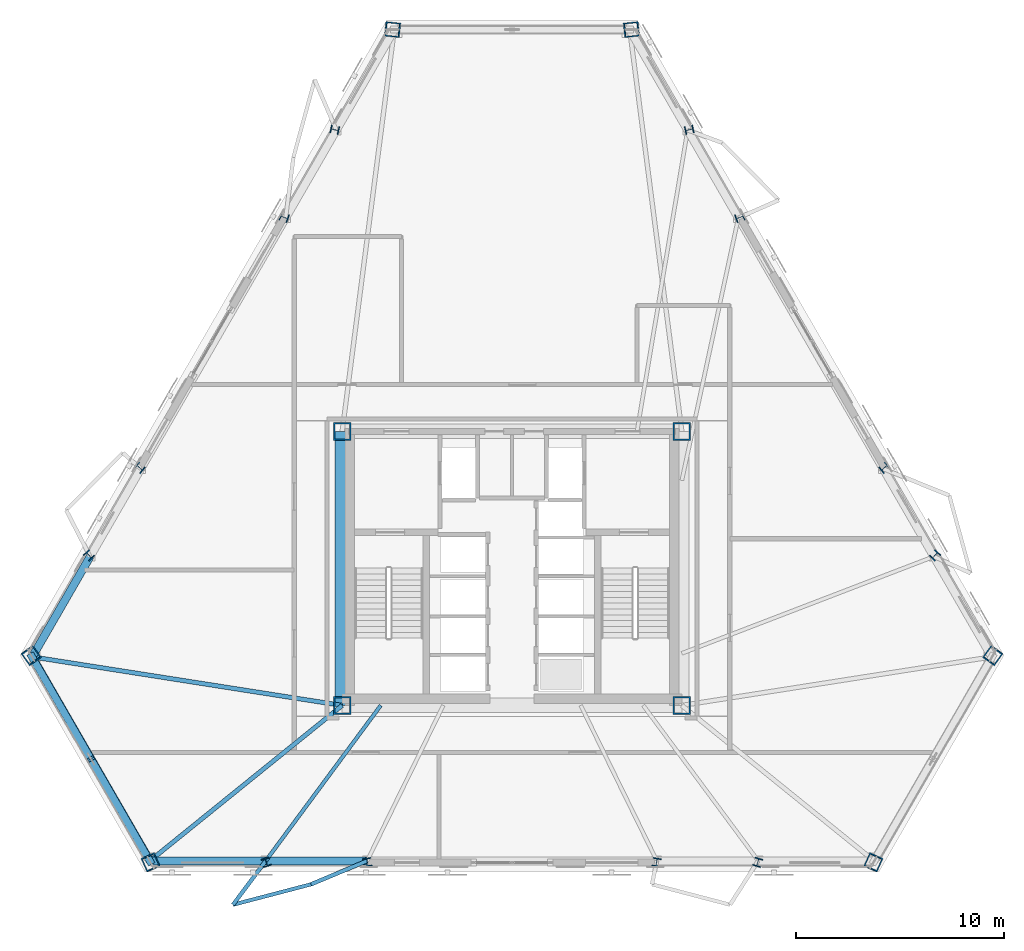
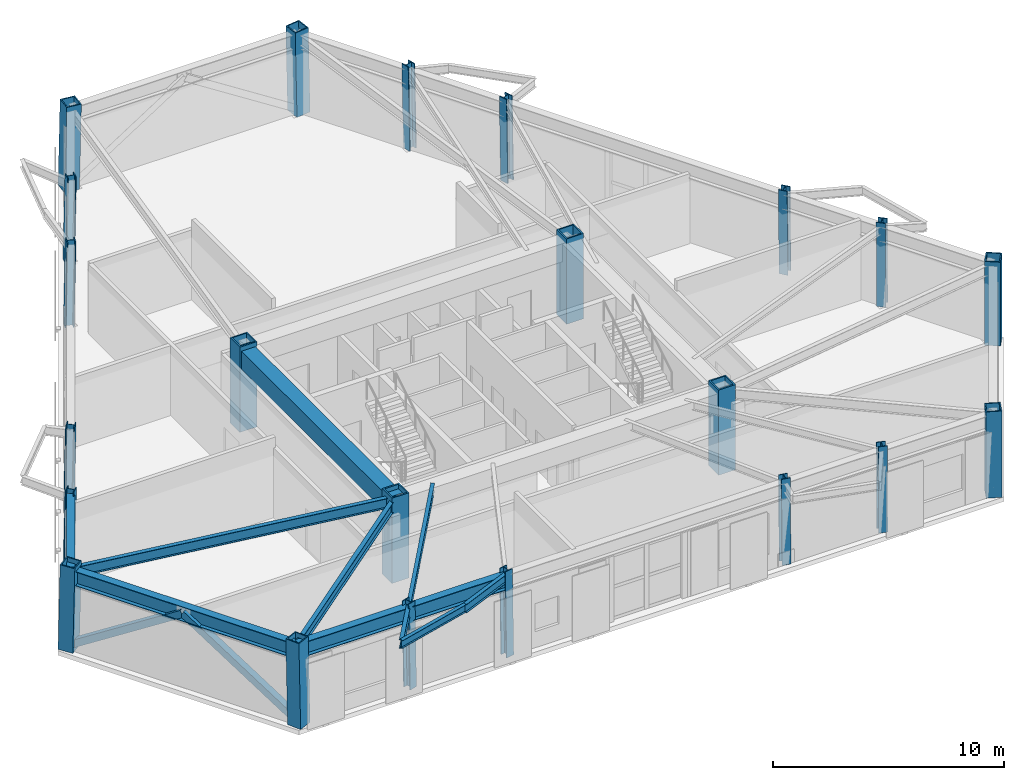
# One storey, part 1 of 14: 22 columns, 11 beams, 2 members.
"""IFC4 building model written with IfcOpenShell, lengths in metres."""

from ifc_helpers import new_model, si_unit, direction, frame, origin, origin_2d, place, context, subcontext, project, spatial, rectangle, hollow_rectangle, i_section, extrude, material, material_profile, profile_set, type_object, element, save


model = new_model("IFC4")

# Units and contexts
model_context = context("Model", 3, precision=1e-05, world=origin(), true_north=direction((0.0, 1.0)))
body_context = subcontext(model_context, "Body", "Model", "MODEL_VIEW")
ifc_project = project(units=[si_unit("LENGTHUNIT", "METRE"), si_unit("AREAUNIT", "SQUARE_METRE"), si_unit("VOLUMEUNIT", "CUBIC_METRE"), si_unit("PLANEANGLEUNIT", "RADIAN"), si_unit("MASSUNIT", "GRAM", prefix="KILO")], contexts=[model_context])

# Site, building, storey
site_placement = place(None, origin())
site = spatial("IfcSite", under=ifc_project, at=site_placement, CompositionType="ELEMENT")
building_placement = place(site_placement, origin())
building = spatial("IfcBuilding", under=site, at=building_placement, Name="Oramaril Tower", CompositionType="ELEMENT")
storey_placement = place(building_placement, frame((0.0, 0.0, 107.699951171875)))
storey = spatial("IfcBuildingStorey", under=building, at=storey_placement, Name="L28", CompositionType="ELEMENT", Elevation=107.699951171875)

# Columns
ifc_material_1 = material(Name="Steel ASTM A572 Gr 50", Category="steel")
ifc_material_profile_1 = material_profile(ifc_material_1, hollow_rectangle(XDim=0.85009765625, YDim=0.85009765625, WallThickness=0.070068359375, at=origin_2d()), Name="BOX850X850X70")
ifc_profile_set_1 = profile_set([ifc_material_profile_1], Name="Steel ASTM A572 Gr 50")
column_type_1 = type_object("IfcColumnType", Name="CT-CC3", PredefinedType="COLUMN", material=ifc_profile_set_1)
for number, where, z_axis, x_axis, name in (
    (1, (29.35009765625, 11.0, 0.0), (0.0, 0.0, 1.0), (1.0, 0.0, 0.0), "L28 Core Column CC-1"),
    (2, (45.64990234375, 11.0, 0.0), (0.0, 0.0, 1.0), (1.0, 0.0, 0.0), "L28 Core Column CC-2"),
    (3, (45.64990234375, 24.14990234375, 0.0), (0.0, 0.0, 1.0), (1.0, 0.0, 0.0), "L28 Core Column CC-3"),
    (4, (29.35009765625, 24.14990234375, 0.0), (0.0, 0.0, 1.0), (1.0, 0.0, 0.0), "L28 Core Column CC-4"),
):
    element("IfcColumn", number, at=place(storey_placement, frame(where, z_axis=z_axis, x_axis=x_axis)), inside=storey, type_object=column_type_1, Name=name, PredefinedType="COLUMN", context=body_context, shape_type="SweptSolid", body=[
        extrude(hollow_rectangle(XDim=0.85009765625, YDim=0.85009765625, WallThickness=0.070068359375, at=origin_2d()), origin(), (0.0, 0.0, 1.0), 4.5),
    ])
ifc_material_2 = material(Name="Steel ASTM A572 Gr 50", Category="steel")
ifc_material_profile_2 = material_profile(ifc_material_2, hollow_rectangle(XDim=0.699951171875, YDim=0.699951171875, WallThickness=0.054931640625, at=origin_2d()), Name="BOX700X700X55")
ifc_profile_set_2 = profile_set([ifc_material_profile_2], Name="Steel ASTM A572 Gr 50")
column_type_2 = type_object("IfcColumnType", Name="CT-TC4", PredefinedType="COLUMN", material=ifc_profile_set_2)
for number, where, z_axis, x_axis, name in (
    (5, (14.42041015625, 13.40625, 0.004638671875), (0.012174579722, -0.016903099525, 0.999783008875), (0.811435353825, 0.584442184106, 0.0), "L28 Tube Column TC-01"),
    (6, (20.163330078125, 3.45947265625, 0.004638671875), (-0.0085330816, 0.018968442537, 0.999783668954), (-0.911970392384, -0.410256021789, 0.0), "L28 Tube Column TC-02"),
    (7, (54.836669921875, 3.45947265625, 0.004638671875), (0.0085330816, 0.018968442537, 0.999783668954), (-0.911970392384, 0.410256021789, 0.0), "L28 Tube Column TC-03"),
    (8, (60.57958984375, 13.40625, 0.004638671875), (-0.012174579722, -0.016903099525, 0.999783008875), (0.811435353825, -0.584442184106, 0.0), "L28 Tube Column TC-04"),
    (9, (43.242919921875, 43.434326171875, 0.004638671875), (-0.020761989686, -0.002119679575, 0.999782199653), (0.101566288418, -0.994828773738, 0.0), "L28 Tube Column TC-05"),
    (10, (31.757080078125, 43.434326171875, 0.004638671875), (0.020761989686, -0.002119679575, 0.999782199653), (0.101566288418, 0.994828773738, 0.0), "L28 Tube Column TC-06"),
):
    element("IfcColumn", number, at=place(storey_placement, frame(where, z_axis=z_axis, x_axis=x_axis)), inside=storey, type_object=column_type_2, Name=name, PredefinedType="COLUMN", context=body_context, shape_type="SweptSolid", body=[
        extrude(hollow_rectangle(XDim=0.699951171875, YDim=0.699951171875, WallThickness=0.054931640625, at=origin_2d()), origin(), (0.0, 0.0, 1.0), 4.491943359375),
    ])
ifc_material_3 = material(Name="Steel ASTM A572 Gr 50", Category="steel")
ifc_material_profile_3 = material_profile(ifc_material_3, i_section(OverallWidth=0.404052734375, OverallDepth=0.406005859375, WebThickness=0.027099609375, FlangeThickness=0.043701171875, at=origin_2d()), Name="W14X233")
ifc_profile_set_3 = profile_set([ifc_material_profile_3], Name="Steel ASTM A572 Gr 50")
column_type_3 = type_object("IfcColumnType", Name="CT-TF3", PredefinedType="COLUMN", material=ifc_profile_set_3)
column_1_placement = place(storey_placement, frame((25.711181640625, 3.45947265625, 0.004638671875), z_axis=(-0.005870003109, 0.018968806342, 0.99980284429), x_axis=(-0.955304297738, -0.295624252595, 0.0)))
element("IfcColumn", 11, at=column_1_placement, inside=storey, type_object=column_type_3, Name="L28 Tube Column TC-07", PredefinedType="COLUMN", context=body_context, shape_type="SweptSolid", body=[
    extrude(i_section(OverallWidth=0.404052734375, OverallDepth=0.406005859375, WebThickness=0.027099609375, FlangeThickness=0.043701171875, at=origin_2d()), origin(), (0.0, 0.0, 1.0), 4.491943359375),
])
for number, where, z_axis, x_axis, name in (
    (12, (30.5654296875, 3.45947265625, 0.004638671875), (-0.0034242074, 0.018969021945, 0.999814208246), (-0.984094708271, -0.177644603499, 0.0), "L28 Tube Column TC-08"),
    (13, (44.4345703125, 3.45947265625, 0.004638671875), (0.0034242074, 0.018969021945, 0.999814208246), (-0.984094708271, 0.177644603499, 0.0), "L28 Tube Column TC-09"),
):
    element("IfcColumn", number, at=place(storey_placement, frame(where, z_axis=z_axis, x_axis=x_axis)), inside=storey, type_object=column_type_3, Name=name, PredefinedType="COLUMN", context=body_context, shape_type="SweptSolid", body=[
        extrude(i_section(OverallWidth=0.404052734375, OverallDepth=0.406005859375, WebThickness=0.027099609375, FlangeThickness=0.043701171875, at=origin_2d()), origin(), (0.0, 0.0, 1.0), 4.49169921875),
    ])
for number, where, z_axis, x_axis, name in (
    (14, (49.288818359375, 3.45947265625, 0.004638671875), (0.005870003109, 0.018968806342, 0.99980284429), (-0.955304297738, 0.295624252595, 0.0), "L28 Tube Column TC-10"),
    (15, (57.8056640625, 18.210693359375, 0.004638671875), (-0.013533621776, -0.014511955881, 0.999803102725), (0.731328464802, -0.682025422231, 0.0), "L28 Tube Column TC-11"),
):
    element("IfcColumn", number, at=place(storey_placement, frame(where, z_axis=z_axis, x_axis=x_axis)), inside=storey, type_object=column_type_3, Name=name, PredefinedType="COLUMN", context=body_context, shape_type="SweptSolid", body=[
        extrude(i_section(OverallWidth=0.404052734375, OverallDepth=0.406005859375, WebThickness=0.027099609375, FlangeThickness=0.043701171875, at=origin_2d()), origin(), (0.0, 0.0, 1.0), 4.491943359375),
    ])
for number, where, z_axis, x_axis, name in (
    (16, (55.37841796875, 22.414794921875, 0.004638671875), (-0.014729514646, -0.012501064091, 0.999813364981), (0.647076579323, -0.762425013029, 0.0), "L28 Tube Column TC-12"),
    (17, (48.44384765625, 34.42578125, 0.004638671875), (-0.018153729481, -0.006522298017, 0.999813933557), (0.338120744002, -0.941102737471, 0.0), "L28 Tube Column TC-13"),
):
    element("IfcColumn", number, at=place(storey_placement, frame(where, z_axis=z_axis, x_axis=x_axis)), inside=storey, type_object=column_type_3, Name=name, PredefinedType="COLUMN", context=body_context, shape_type="SweptSolid", body=[
        extrude(i_section(OverallWidth=0.404052734375, OverallDepth=0.406005859375, WebThickness=0.027099609375, FlangeThickness=0.043701171875, at=origin_2d()), origin(), (0.0, 0.0, 1.0), 4.49169921875),
    ])
for number, where, z_axis, x_axis, name in (
    (18, (46.016845703125, 38.6298828125, 0.004638671875), (-0.019403601095, -0.004456849551, 0.999801798736), (0.223862467907, -0.974620744425, 0.0), "L28 Tube Column TC-14"),
    (19, (28.983154296875, 38.6298828125, 0.004638671875), (0.019403601095, -0.004456849551, 0.999801798736), (0.223862467907, 0.974620744425, 0.0), "L28 Tube Column TC-15"),
):
    element("IfcColumn", number, at=place(storey_placement, frame(where, z_axis=z_axis, x_axis=x_axis)), inside=storey, type_object=column_type_3, Name=name, PredefinedType="COLUMN", context=body_context, shape_type="SweptSolid", body=[
        extrude(i_section(OverallWidth=0.404052734375, OverallDepth=0.406005859375, WebThickness=0.027099609375, FlangeThickness=0.043701171875, at=origin_2d()), origin(), (0.0, 0.0, 1.0), 4.491943359375),
    ])
for number, where, z_axis, x_axis, name in (
    (20, (26.55615234375, 34.42578125, 0.004638671875), (0.018153729481, -0.006522298017, 0.999813933557), (0.338120744002, 0.941102737471, 0.0), "L28 Tube Column TC-16"),
    (21, (19.62158203125, 22.414794921875, 0.004638671875), (0.014729514646, -0.012501064091, 0.999813364981), (0.647076579323, 0.762425013029, 0.0), "L28 Tube Column TC-17"),
):
    element("IfcColumn", number, at=place(storey_placement, frame(where, z_axis=z_axis, x_axis=x_axis)), inside=storey, type_object=column_type_3, Name=name, PredefinedType="COLUMN", context=body_context, shape_type="SweptSolid", body=[
        extrude(i_section(OverallWidth=0.404052734375, OverallDepth=0.406005859375, WebThickness=0.027099609375, FlangeThickness=0.043701171875, at=origin_2d()), origin(), (0.0, 0.0, 1.0), 4.49169921875),
    ])
column_2_placement = place(storey_placement, frame((17.1943359375, 18.210693359375, 0.004638671875), z_axis=(0.013533621776, -0.014511955881, 0.999803102725), x_axis=(0.731328464802, 0.682025422231, 0.0)))
element("IfcColumn", 22, at=column_2_placement, inside=storey, type_object=column_type_3, Name="L28 Tube Column TC-18", PredefinedType="COLUMN", context=body_context, shape_type="SweptSolid", body=[
    extrude(i_section(OverallWidth=0.404052734375, OverallDepth=0.406005859375, WebThickness=0.027099609375, FlangeThickness=0.043701171875, at=origin_2d()), origin(), (0.0, 0.0, 1.0), 4.491943359375),
])

# Beams
ifc_material_4 = material(Name="Steel ASTM A572 Gr 50", Category="steel")
ifc_material_profile_4 = material_profile(ifc_material_4, i_section(OverallWidth=0.19091796875, OverallDepth=0.45703125, WebThickness=0.009033203125, FlangeThickness=0.014404296875, at=origin_2d()), Name="W18X50")
ifc_profile_set_4 = profile_set([ifc_material_profile_4], Name="Steel ASTM A572 Gr 50")
beam_type_1 = type_object("IfcBeamType", Name="BT-BB1", PredefinedType="BEAM", material=ifc_profile_set_4)
beam_1_placement = place(storey_placement, frame((25.684814453125, 3.544677734375, 4.031494140625), z_axis=(-0.597948240516, -0.801534716444, 0.0), x_axis=(0.801534716444, -0.597948240516, 0.0)))
element("IfcBeam", 23, at=beam_1_placement, inside=storey, type_object=beam_type_1, Name="L28 Balcony Column-Framed Cantilever 01.1", PredefinedType="BEAM", context=body_context, shape_type="SweptSolid", body=[
    extrude(i_section(OverallWidth=0.19091796875, OverallDepth=0.45703125, WebThickness=0.009033203125, FlangeThickness=0.014404296875, at=origin_2d()), origin(), (0.0, 0.0, 1.0), 2.6298828125),
])
beam_2_placement = place(storey_placement, frame((30.550048828125, 3.544677734375, 4.031494140625), z_axis=(-0.922407746188, -0.386217490247, 0.0), x_axis=(0.386217490247, -0.922407746188, 0.0)))
element("IfcBeam", 24, at=beam_2_placement, inside=storey, type_object=beam_type_1, Name="L28 Balcony Column-Framed Cantilever 01.2", PredefinedType="BEAM", context=body_context, shape_type="SweptSolid", body=[
    extrude(i_section(OverallWidth=0.19091796875, OverallDepth=0.45703125, WebThickness=0.009033203125, FlangeThickness=0.014404296875, at=origin_2d()), origin(), (0.0, 0.0, 1.0), 2.92041015625),
])
ifc_material_5 = material(Name="Concrete C50/60", Category="concrete")
ifc_material_profile_5 = material_profile(ifc_material_5, rectangle(XDim=0.699951171875, YDim=0.949951171875, at=origin_2d()), Name="CB700X950")
ifc_profile_set_5 = profile_set([ifc_material_profile_5], Name="Concrete C50/60")
beam_type_2 = type_object("IfcBeamType", Name="BT-CB1", PredefinedType="BEAM", material=ifc_profile_set_5)
beam_3_placement = place(storey_placement, frame((29.35009765625, 24.14990234375, 3.78515625), z_axis=(0.0, -1.0, 0.0), x_axis=(1.0, 0.0, 0.0)))
element("IfcBeam", 25, at=beam_3_placement, inside=storey, type_object=beam_type_2, Name="L28 Core Header Beam CB-4", PredefinedType="BEAM", context=body_context, shape_type="SweptSolid", body=[
    extrude(rectangle(XDim=0.699951171875, YDim=0.949951171875, at=origin_2d()), origin(), (0.0, 0.0, 1.0), 13.14990234375),
])
ifc_material_6 = material(Name="Steel ASTM A572 Gr 50", Category="steel")
ifc_material_profile_6 = material_profile(ifc_material_6, i_section(OverallWidth=0.2099609375, OverallDepth=0.535888671875, WebThickness=0.010986328125, FlangeThickness=0.017333984375, at=origin_2d()), Name="W21X68")
ifc_profile_set_6 = profile_set([ifc_material_profile_6], Name="Steel ASTM A572 Gr 50")
beam_type_3 = type_object("IfcBeamType", Name="BT-FB2", PredefinedType="BEAM", material=ifc_profile_set_6)
beam_4_placement = place(storey_placement, frame((29.35009765625, 11.0, 3.991943359375), z_axis=(-0.987950124028, 0.154772582948, 0.0), x_axis=(-0.154772582948, -0.987950124028, 0.0)))
element("IfcBeam", 26, at=beam_4_placement, inside=storey, type_object=beam_type_3, Name="L28 Radial Primary Beam RB-01", PredefinedType="BEAM", context=body_context, shape_type="SweptSolid", body=[
    extrude(i_section(OverallWidth=0.2099609375, OverallDepth=0.535888671875, WebThickness=0.010986328125, FlangeThickness=0.017333984375, at=origin_2d()), origin(), (0.0, 0.0, 1.0), 15.056396484375),
])
beam_5_placement = place(storey_placement, frame((29.35009765625, 11.0, 3.991943359375), z_axis=(-0.777764688717, -0.628555557596, 0.0), x_axis=(0.628555557596, -0.777764688717, 0.0)))
element("IfcBeam", 27, at=beam_5_placement, inside=storey, type_object=beam_type_3, Name="L28 Radial Primary Beam RB-02", PredefinedType="BEAM", context=body_context, shape_type="SweptSolid", body=[
    extrude(i_section(OverallWidth=0.2099609375, OverallDepth=0.535888671875, WebThickness=0.010986328125, FlangeThickness=0.017333984375, at=origin_2d()), origin(), (0.0, 0.0, 1.0), 11.861083984375),
])
ifc_material_7 = material(Name="Steel ASTM A572 Gr 50", Category="steel")
ifc_material_profile_7 = material_profile(ifc_material_7, i_section(OverallWidth=0.177978515625, OverallDepth=0.404052734375, WebThickness=0.007568359375, FlangeThickness=0.010986328125, at=origin_2d()), Name="W16X36")
ifc_profile_set_7 = profile_set([ifc_material_profile_7], Name="Steel ASTM A572 Gr 50")
beam_type_4 = type_object("IfcBeamType", Name="BT-SB1", PredefinedType="BEAM", material=ifc_profile_set_7)
beam_6_placement = place(storey_placement, frame((31.199951171875, 11.0, 4.05810546875), z_axis=(-0.594717455273, -0.803934791132, 0.0), x_axis=(0.803934791132, -0.594717455273, 0.0)))
element("IfcBeam", 28, at=beam_6_placement, inside=storey, type_object=beam_type_4, Name="L28 Secondary Floor Beam SB-01", PredefinedType="BEAM", context=body_context, shape_type="SweptSolid", body=[
    extrude(i_section(OverallWidth=0.177978515625, OverallDepth=0.404052734375, WebThickness=0.007568359375, FlangeThickness=0.010986328125, at=origin_2d()), origin(), (0.0, 0.0, 1.0), 9.2734375),
])
beam_7_placement = place(storey_placement, frame((24.1123046875, 1.436767578125, 4.05810546875), z_axis=(0.967407922874, 0.253223045479, 0.0), x_axis=(-0.253223045479, 0.967407922874, 0.0)))
element("IfcBeam", 29, at=beam_7_placement, inside=storey, type_object=beam_type_4, Name="L28 Balcony Edge Tie Beam 01", PredefinedType="BEAM", context=body_context, shape_type="SweptSolid", body=[
    extrude(i_section(OverallWidth=0.177978515625, OverallDepth=0.404052734375, WebThickness=0.007568359375, FlangeThickness=0.010986328125, at=origin_2d()), origin(), (0.0, 0.0, 1.0), 3.8701171875),
])
ifc_material_8 = material(Name="Steel ASTM A572 Gr 50", Category="steel")
ifc_material_profile_8 = material_profile(ifc_material_8, i_section(OverallWidth=0.381103515625, OverallDepth=0.77197265625, WebThickness=0.0166015625, FlangeThickness=0.027099609375, at=origin_2d()), Name="W30X173")
ifc_profile_set_8 = profile_set([ifc_material_profile_8], Name="Steel ASTM A572 Gr 50")
beam_type_5 = type_object("IfcBeamType", Name="BT-SP2", PredefinedType="SPANDREL", material=ifc_profile_set_8)
beam_8_placement = place(storey_placement, frame((14.47509765625, 13.330322265625, 3.8740234375), z_axis=(0.500010476433, -0.866019355129, 0.0), x_axis=(0.866019355129, 0.500010476433, 0.0)))
element("IfcBeam", 30, at=beam_8_placement, inside=storey, type_object=beam_type_5, Name="L28 Perimeter Spandrel 01", PredefinedType="SPANDREL", context=body_context, shape_type="SweptSolid", body=[
    extrude(i_section(OverallWidth=0.381103515625, OverallDepth=0.77197265625, WebThickness=0.0166015625, FlangeThickness=0.027099609375, at=origin_2d()), origin(), (0.0, 0.0, 1.0), 11.299560546875),
])
beam_9_placement = place(storey_placement, frame((20.125, 3.544677734375, 3.8740234375), z_axis=(1.0, 0.0, 0.0), x_axis=(0.0, 1.0, 0.0)))
element("IfcBeam", 31, at=beam_9_placement, inside=storey, type_object=beam_type_5, Name="L28 Perimeter Spandrel 02", PredefinedType="SPANDREL", context=body_context, shape_type="SweptSolid", body=[
    extrude(i_section(OverallWidth=0.381103515625, OverallDepth=0.77197265625, WebThickness=0.0166015625, FlangeThickness=0.027099609375, at=origin_2d()), origin(), (0.0, 0.0, 1.0), 5.559814453125),
])
beam_10_placement = place(storey_placement, frame((25.684814453125, 3.544677734375, 3.8740234375), z_axis=(1.0, 0.0, 0.0), x_axis=(0.0, 1.0, 0.0)))
element("IfcBeam", 32, at=beam_10_placement, inside=storey, type_object=beam_type_5, Name="L28 Perimeter Spandrel 03", PredefinedType="SPANDREL", context=body_context, shape_type="SweptSolid", body=[
    extrude(i_section(OverallWidth=0.381103515625, OverallDepth=0.77197265625, WebThickness=0.0166015625, FlangeThickness=0.027099609375, at=origin_2d()), origin(), (0.0, 0.0, 1.0), 4.865234375),
])
beam_11_placement = place(storey_placement, frame((17.255126953125, 18.1455078125, 3.8740234375), z_axis=(-0.49999738653, -0.866026912667, 0.0), x_axis=(0.866026912667, -0.49999738653, 0.0)))
element("IfcBeam", 33, at=beam_11_placement, inside=storey, type_object=beam_type_5, Name="L28 Perimeter Spandrel 18", PredefinedType="SPANDREL", context=body_context, shape_type="SweptSolid", body=[
    extrude(i_section(OverallWidth=0.381103515625, OverallDepth=0.77197265625, WebThickness=0.0166015625, FlangeThickness=0.027099609375, at=origin_2d()), origin(), (0.0, 0.0, 1.0), 5.56005859375),
])

# Members
ifc_material_9 = material(Name="Steel ASTM A572 Gr 50", Category="steel")
ifc_material_profile_9 = material_profile(ifc_material_9, hollow_rectangle(XDim=0.35009765625, YDim=0.35009765625, WallThickness=0.01611328125, at=origin_2d()), Name="HSS350X350X16")
ifc_profile_set_9 = profile_set([ifc_material_profile_9], Name="Steel ASTM A572 Gr 50")
member_type = type_object("IfcMemberType", Name="MT-KB1", PredefinedType="BRACE", material=ifc_profile_set_9)
for number, where, z_axis, x_axis, name in (
    (34, (14.42041015625, 13.40625, 0.179931640625), (0.420535817595, -0.72834000512, 0.540990261522), (0.866010719802, 0.500025432542, 0.0), "L28 Perimeter Chevron Brace KB-1A"),
    (35, (20.163330078125, 3.45947265625, 0.179931640625), (-0.42050638623, 0.728350956032, 0.540998395549), (-0.86602912844, -0.499993548652, 0.0), "L28 Perimeter Chevron Brace KB-1B"),
):
    element("IfcMember", number, at=place(storey_placement, frame(where, z_axis=z_axis, x_axis=x_axis)), inside=storey, type_object=member_type, Name=name, PredefinedType="BRACE", context=body_context, shape_type="SweptSolid", body=[
        extrude(hollow_rectangle(XDim=0.35009765625, YDim=0.35009765625, WallThickness=0.01611328125, at=origin_2d()), origin(), (0.0, 0.0, 1.0), 6.828369140625),
    ])

save(model, "model.ifc")
